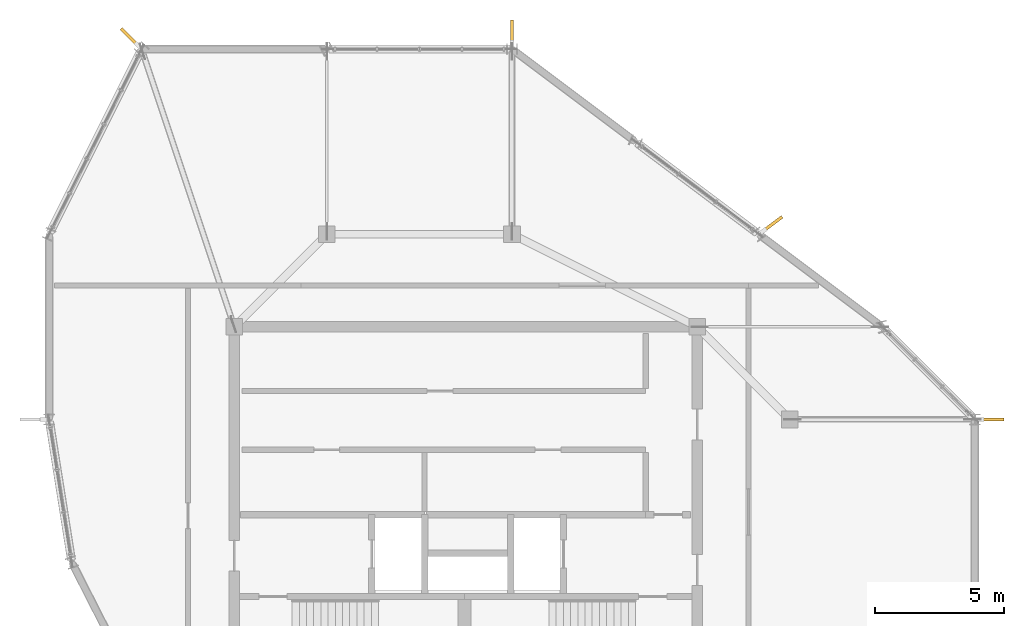
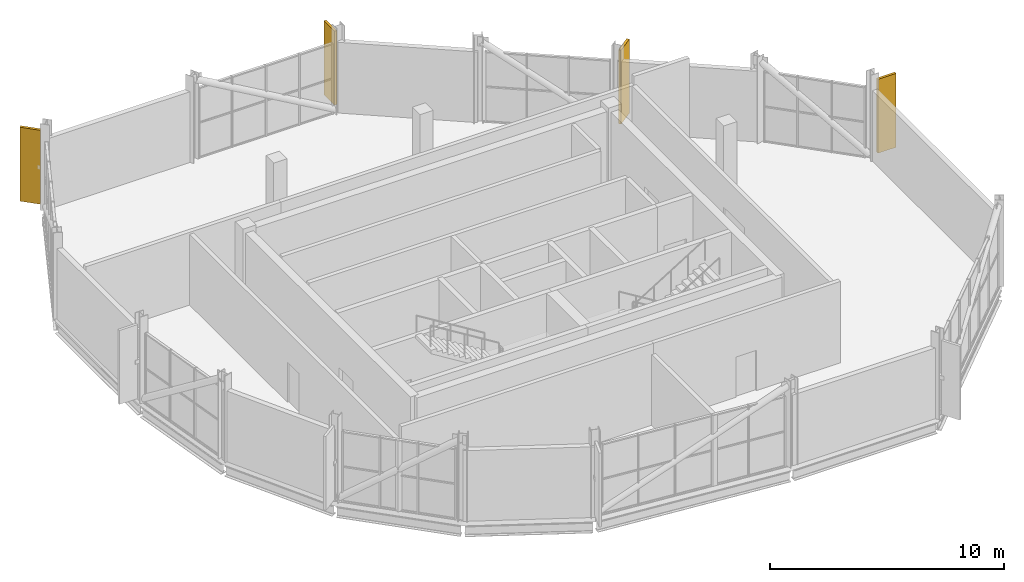
# One storey, part 22 of 22: 4 shading devices.
"""IFC4 building model written with IfcOpenShell, lengths in metres."""

from ifc_helpers import new_model, si_unit, direction, frame, origin, origin_2d, place, context, subcontext, project, spatial, rectangle, extrude, material, type_object, element, save


model = new_model("IFC4")

# Units and contexts
model_context = context("Model", 3, precision=1e-05, world=origin(), true_north=direction((0.0, 1.0)))
body_context = subcontext(model_context, "Body", "Model", "MODEL_VIEW")
ifc_project = project(units=[si_unit("LENGTHUNIT", "METRE"), si_unit("AREAUNIT", "SQUARE_METRE"), si_unit("VOLUMEUNIT", "CUBIC_METRE"), si_unit("PLANEANGLEUNIT", "RADIAN"), si_unit("MASSUNIT", "GRAM", prefix="KILO")], contexts=[model_context])

# Site, building, storey
site_placement = place(None, origin())
site = spatial("IfcSite", under=ifc_project, at=site_placement, CompositionType="ELEMENT")
building_placement = place(site_placement, origin())
building = spatial("IfcBuilding", under=site, at=building_placement, Name="Solnavia Interchange Tower", CompositionType="ELEMENT")
storey_placement = place(building_placement, frame((0.0, 0.0, 308.699951171875)))
storey = spatial("IfcBuildingStorey", under=building, at=storey_placement, Name="C02", CompositionType="ELEMENT", Elevation=308.699951171875)

# Shading devices
ifc_material = material(Name="Anodised Aluminium Fin", Category="aluminium")
shading_device_type = type_object("IfcShadingDeviceType", Name="CrownFin-Alu-900", PredefinedType="USERDEFINED", material=ifc_material)
for number, where, z_axis, x_axis, name in (
    (1, (43.8798828125, 21.60009765625, 0.199951171875), (0.0, 0.0, 1.0), (1.0, 0.0, 0.0), "FIN-C02-F01 Crown ring vertical aerofoil fin"),
    (2, (35.343994140625, 29.2080078125, 0.199951171875), (0.0, 0.0, 1.0), (0.799998928149, 0.600001429133, 0.0), "FIN-C02-F03 Crown ring vertical aerofoil fin"),
    (3, (25.199951171875, 36.679931640625, 0.199951171875), (0.0, 0.0, 1.0), (0.0, 1.0, 0.0), "FIN-C02-F05 Crown ring vertical aerofoil fin"),
    (4, (10.319091796875, 36.480712890625, 0.199951171875), (0.0, 0.0, 1.0), (-0.707106781187, 0.707106781187, 0.0), "FIN-C02-F07 Crown ring vertical aerofoil fin"),
):
    element("IfcShadingDevice", number, at=place(storey_placement, frame(where, z_axis=z_axis, x_axis=x_axis)), inside=storey, type_object=shading_device_type, Name=name, ObjectType="FIN", PredefinedType="USERDEFINED", context=body_context, shape_type="SweptSolid", body=[
        extrude(rectangle(XDim=0.89990234375, YDim=0.1201171875, at=origin_2d()), origin(), (0.0, 0.0, 1.0), 3.85009765625),
    ])

save(model, "model.ifc")
